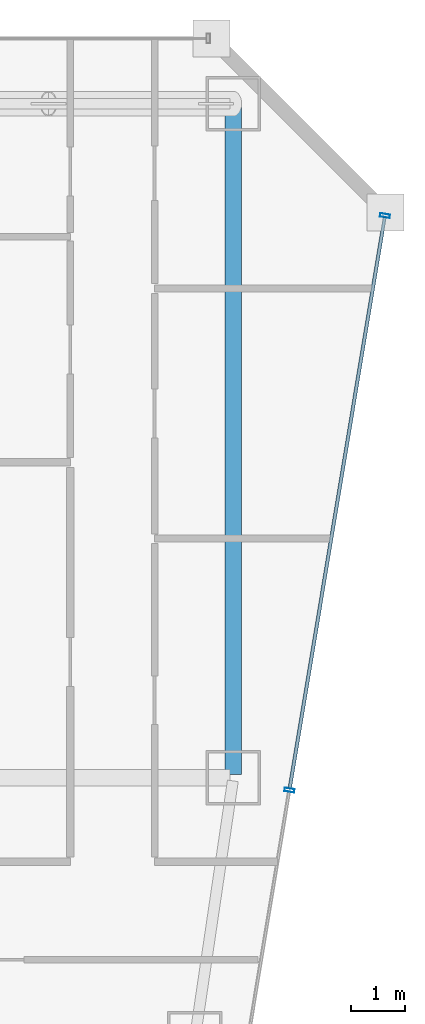
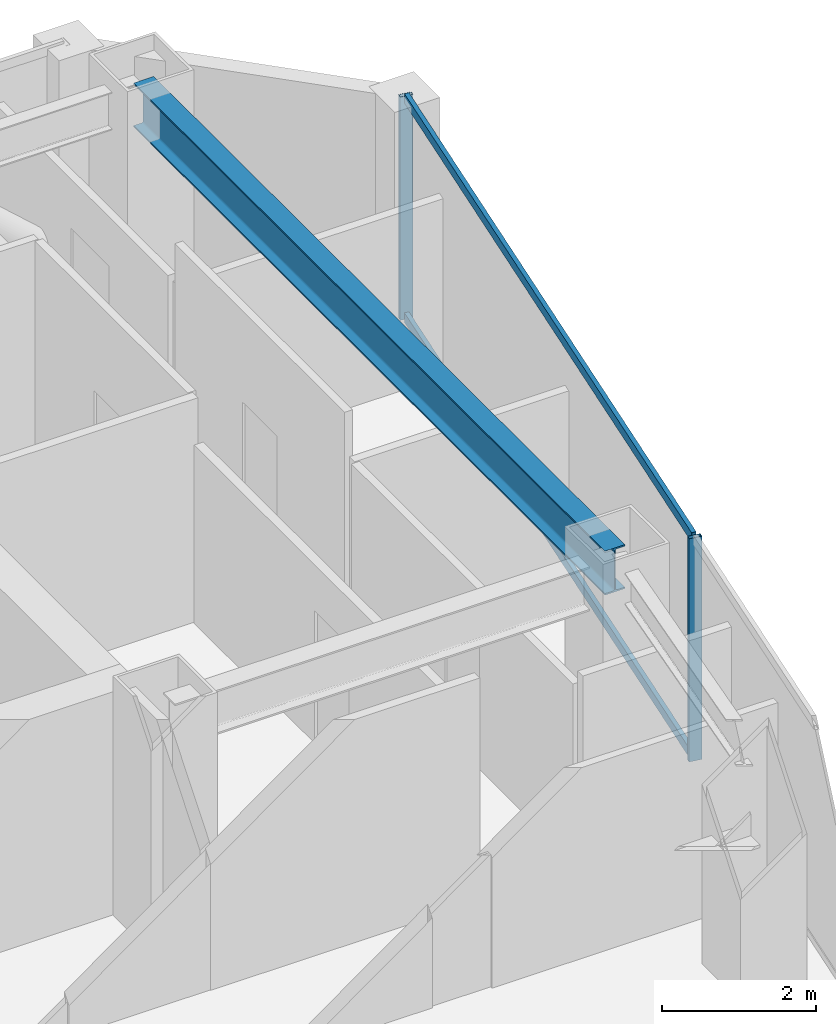
# One storey, part 26 of 37: 4 members, 1 beam, 1 element without a shape of its own.
"""IFC4 building model written with IfcOpenShell, lengths in metres."""

from ifc_helpers import new_model, si_unit, direction, frame, origin, origin_2d, place, context, subcontext, project, spatial, hollow_rectangle, i_section, extrude, material, material_profile, profile_set, type_object, element, aggregate, save


model = new_model("IFC4")

# Units and contexts
model_context = context("Model", 3, precision=1e-05, world=origin(), true_north=direction((0.0, 1.0)))
body_context = subcontext(model_context, "Body", "Model", "MODEL_VIEW")
ifc_project = project(units=[si_unit("LENGTHUNIT", "METRE"), si_unit("AREAUNIT", "SQUARE_METRE"), si_unit("VOLUMEUNIT", "CUBIC_METRE"), si_unit("PLANEANGLEUNIT", "RADIAN"), si_unit("MASSUNIT", "GRAM", prefix="KILO")], contexts=[model_context])

# Site, building, storey
site_placement = place(None, origin())
site = spatial("IfcSite", under=ifc_project, at=site_placement, CompositionType="ELEMENT")
building_placement = place(site_placement, origin())
building = spatial("IfcBuilding", under=site, at=building_placement, Name="Saevonmaru Cultural Tower", CompositionType="ELEMENT")
storey_placement = place(building_placement, frame((0.0, 0.0, 163.800048828125)))
storey = spatial("IfcBuildingStorey", under=building, at=storey_placement, Name="L36", CompositionType="ELEMENT", Elevation=163.800048828125)

# Beam
ifc_material_1 = material(Name="Steel SM355", Category="steel")
ifc_material_profile_1 = material_profile(ifc_material_1, i_section(OverallWidth=0.300048828125, OverallDepth=0.699951171875, WebThickness=0.012939453125, FlangeThickness=0.02392578125, FilletRadius=0.02587890625, at=origin_2d()), Name="H-700x300x13x24")
ifc_profile_set_1 = profile_set([ifc_material_profile_1], Name="Steel SM355")
beam_type = type_object("IfcBeamType", Name="BM-G-H700", PredefinedType="BEAM", material=ifc_profile_set_1)
beam_placement = place(storey_placement, frame((53.199951171875, 54.739990234375, 3.199951171875), z_axis=(0.0, -1.0, 0.0), x_axis=(1.0, 0.0, 0.0)))
element("IfcBeam", 1, at=beam_placement, inside=storey, type_object=beam_type, Name="L36 Spine Transverse Girder E", PredefinedType="BEAM", context=body_context, shape_type="SweptSolid", body=[
    extrude(i_section(OverallWidth=0.300048828125, OverallDepth=0.699951171875, WebThickness=0.012939453125, FlangeThickness=0.02392578125, FilletRadius=0.02587890625, at=origin_2d()), origin(), (0.0, 0.0, 1.0), 12.280029296875),
])

# Curtain wall, members
ifc_material_2 = material(Name="Satin Bronze Anodised Aluminium", Category="aluminium")
curtain_wall_type = type_object("IfcCurtainWallType", Name="CW-TYP-A", PredefinedType="NOTDEFINED", material=ifc_material_2)
curtain_wall_placement = place(storey_placement, origin())
curtain_wall = element("IfcCurtainWall", 2, at=curtain_wall_placement, inside=storey, type_object=curtain_wall_type, Name="L36 Unitised Curtain Wall E8", PredefinedType="NOTDEFINED")
ifc_material_profile_2 = material_profile(ifc_material_2, hollow_rectangle(XDim=0.06494140625, YDim=0.179931640625, WallThickness=0.00390625, at=origin_2d()), Name="ALU-MULL-180x65x4")
ifc_profile_set_2 = profile_set([ifc_material_profile_2], Name="Satin Bronze Anodised Aluminium")
member_type_1 = type_object("IfcMemberType", Name="ML-CW-180x65", PredefinedType="MULLION", material=ifc_profile_set_2)
member_1_placement = place(storey_placement, frame((54.23291015625, 42.17041015625, 0.0), z_axis=(0.0, 0.0, 1.0), x_axis=(0.163998702345, 0.986460554523, 0.0)))
member_1 = element("IfcMember", 3, at=member_1_placement, type_object=member_type_1, Name="CW-TW-L36-E8 mullion 4", PredefinedType="MULLION", context=body_context, shape_type="SweptSolid", body=[
    extrude(hollow_rectangle(XDim=0.06494140625, YDim=0.179931640625, WallThickness=0.00390625, at=origin_2d()), origin(), (0.0, 0.0, 1.0), 3.550048828125),
])
member_2_placement = place(storey_placement, frame((55.990234375, 52.74072265625, 0.0), z_axis=(0.0, 0.0, 1.0), x_axis=(0.163998702345, 0.986460554523, 0.0)))
member_2 = element("IfcMember", 4, at=member_2_placement, type_object=member_type_1, Name="CW-TW-L36-E8 mullion 5", PredefinedType="MULLION", context=body_context, shape_type="SweptSolid", body=[
    extrude(hollow_rectangle(XDim=0.06494140625, YDim=0.179931640625, WallThickness=0.00390625, at=origin_2d()), origin(), (0.0, 0.0, 1.0), 3.550048828125),
])
ifc_material_profile_3 = material_profile(ifc_material_2, hollow_rectangle(XDim=0.06494140625, YDim=0.14990234375, WallThickness=0.00390625, at=origin_2d()), Name="ALU-TRAN-150x65x4")
ifc_profile_set_3 = profile_set([ifc_material_profile_3], Name="Satin Bronze Anodised Aluminium")
member_type_2 = type_object("IfcMemberType", Name="TR-CW-150x65", PredefinedType="USERDEFINED", material=ifc_profile_set_3)
member_3_placement = place(storey_placement, frame((54.23828125, 42.202392578125, 0.032470703125), z_axis=(0.163990079074, 0.9864619881, 0.0), x_axis=(-0.9864619881, 0.163990079074, 0.0)))
member_3 = element("IfcMember", 5, at=member_3_placement, type_object=member_type_2, Name="CW-TW-L36-E8 transom 4.1", ObjectType="TRANSOM", PredefinedType="USERDEFINED", context=body_context, shape_type="SweptSolid", body=[
    extrude(hollow_rectangle(XDim=0.06494140625, YDim=0.14990234375, WallThickness=0.00390625, at=origin_2d()), origin(), (0.0, 0.0, 1.0), 10.650634765625),
])
member_4_placement = place(storey_placement, frame((54.23828125, 42.202392578125, 3.517333984375), z_axis=(0.163990079074, 0.9864619881, 0.0), x_axis=(-0.9864619881, 0.163990079074, 0.0)))
member_4 = element("IfcMember", 6, at=member_4_placement, type_object=member_type_2, Name="CW-TW-L36-E8 transom 4.2", ObjectType="TRANSOM", PredefinedType="USERDEFINED", context=body_context, shape_type="SweptSolid", body=[
    extrude(hollow_rectangle(XDim=0.06494140625, YDim=0.14990234375, WallThickness=0.00390625, at=origin_2d()), origin(), (0.0, 0.0, 1.0), 10.650634765625),
])
aggregate(curtain_wall, [member_1, member_2, member_3, member_4])

save(model, "model.ifc")
